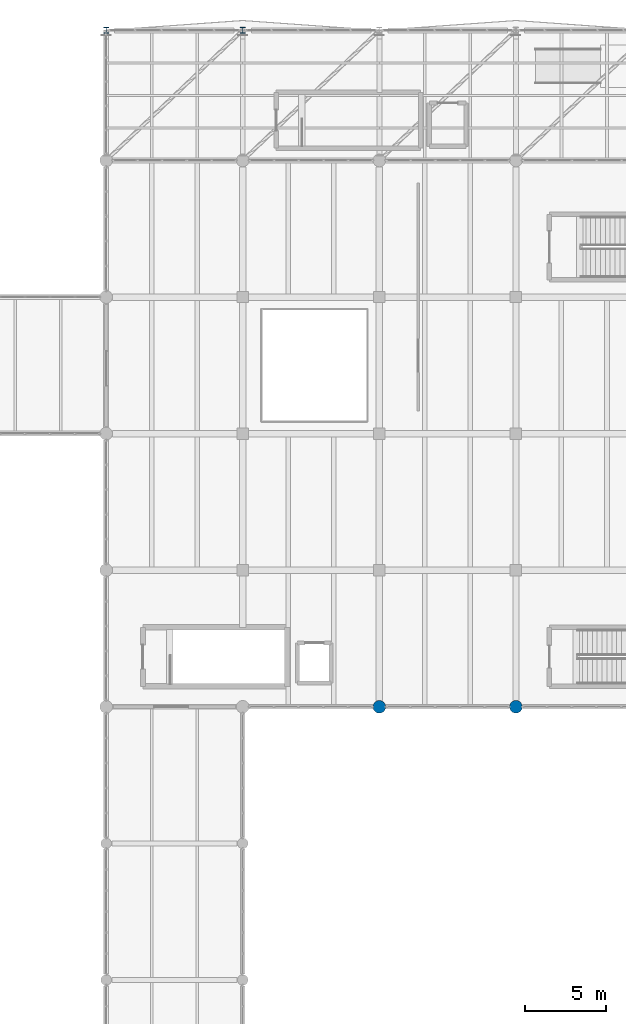
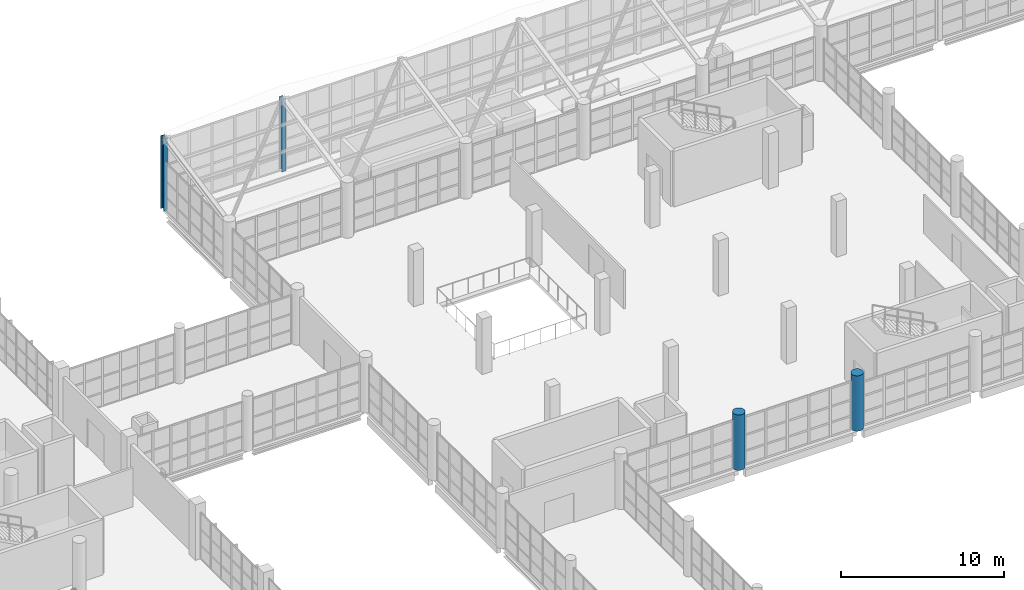
# One storey, part 2 of 177: 4 columns.
"""IFC4 building model written with IfcOpenShell, lengths in metres."""

from ifc_helpers import new_model, si_unit, direction, frame, origin, origin_2d, place, context, subcontext, project, spatial, circle, i_section, extrude, material, material_profile, profile_set, type_object, element, save


model = new_model("IFC4")

# Units and contexts
model_context = context("Model", 3, precision=1e-05, world=origin(), true_north=direction((0.0, 1.0)))
body_context = subcontext(model_context, "Body", "Model", "MODEL_VIEW")
ifc_project = project(units=[si_unit("LENGTHUNIT", "METRE"), si_unit("AREAUNIT", "SQUARE_METRE"), si_unit("VOLUMEUNIT", "CUBIC_METRE"), si_unit("PLANEANGLEUNIT", "RADIAN"), si_unit("MASSUNIT", "GRAM", prefix="KILO"), si_unit("THERMODYNAMICTEMPERATUREUNIT", "KELVIN"), si_unit("POWERUNIT", "WATT")], contexts=[model_context])

# Site, building, storey
site_placement = place(None, origin())
site = spatial("IfcSite", under=ifc_project, at=site_placement, CompositionType="ELEMENT")
building_placement = place(site_placement, origin())
building = spatial("IfcBuilding", under=site, at=building_placement, Name="Mavoryth Pier Ferry Terminal", CompositionType="ELEMENT")
storey_placement = place(building_placement, frame((0.0, 0.0, 5.43994140625)))
storey = spatial("IfcBuildingStorey", under=building, at=storey_placement, Name="L01", CompositionType="ELEMENT", Elevation=5.43994140625)

# Columns
ifc_material_1 = material(Name="Concrete C40/50", Category="concrete")
ifc_material_profile_1 = material_profile(ifc_material_1, circle(Radius=0.389892578125, at=origin_2d()), Name="RC D780", Category="concrete")
ifc_profile_set_1 = profile_set([ifc_material_profile_1], Name="Concrete C40/50 - RC D780")
column_type_1 = type_object("IfcColumnType", Name="Col-Pilotis-D780", PredefinedType="COLUMN", material=ifc_profile_set_1)
for number, where, z_axis, x_axis, name in (
    (1, (67.199951171875, 72.39990234375, 0.0), (0.0, 0.0, 1.0), (1.0, 0.0, 0.0), "Column C01-CC03-220"),
    (2, (75.60009765625, 72.39990234375, 0.0), (0.0, 0.0, 1.0), (1.0, 0.0, 0.0), "Column C01-CC03-225"),
):
    element("IfcColumn", number, at=place(storey_placement, frame(where, z_axis=z_axis, x_axis=x_axis)), inside=storey, type_object=column_type_1, Name=name, PredefinedType="COLUMN", context=body_context, shape_type="SweptSolid", body=[
        extrude(circle(Radius=0.389892578125, at=origin_2d()), origin(), (0.0, 0.0, 1.0), 4.16015625),
    ])
ifc_material_2 = material(Name="Steel S355J2", Category="steel")
ifc_material_profile_2 = material_profile(ifc_material_2, i_section(OverallWidth=0.300048828125, OverallDepth=0.360107421875, WebThickness=0.012451171875, FlangeThickness=0.0224609375, FilletRadius=0.027099609375, at=origin_2d()), Name="HEB 360", Category="steel")
ifc_profile_set_2 = profile_set([ifc_material_profile_2], Name="Steel S355J2 - HEB 360")
column_type_2 = type_object("IfcColumnType", Name="Col-SteelBridge-HEB360", PredefinedType="COLUMN", material=ifc_profile_set_2)
for number, where, z_axis, x_axis, name in (
    (3, (50.39990234375, 114.0, 0.0), (0.0, 0.0, 1.0), (1.0, 0.0, 0.0), "Column C01-SC03-260"),
    (4, (58.800048828125, 114.0, 0.0), (0.0, 0.0, 1.0), (1.0, 0.0, 0.0), "Column C01-SC03-262"),
):
    element("IfcColumn", number, at=place(storey_placement, frame(where, z_axis=z_axis, x_axis=x_axis)), inside=storey, type_object=column_type_2, Name=name, PredefinedType="COLUMN", context=body_context, shape_type="SweptSolid", body=[
        extrude(i_section(OverallWidth=0.300048828125, OverallDepth=0.360107421875, WebThickness=0.012451171875, FlangeThickness=0.0224609375, FilletRadius=0.027099609375, at=origin_2d()), origin(), (0.0, 0.0, 1.0), 5.4677734375),
    ])

save(model, "model.ifc")
